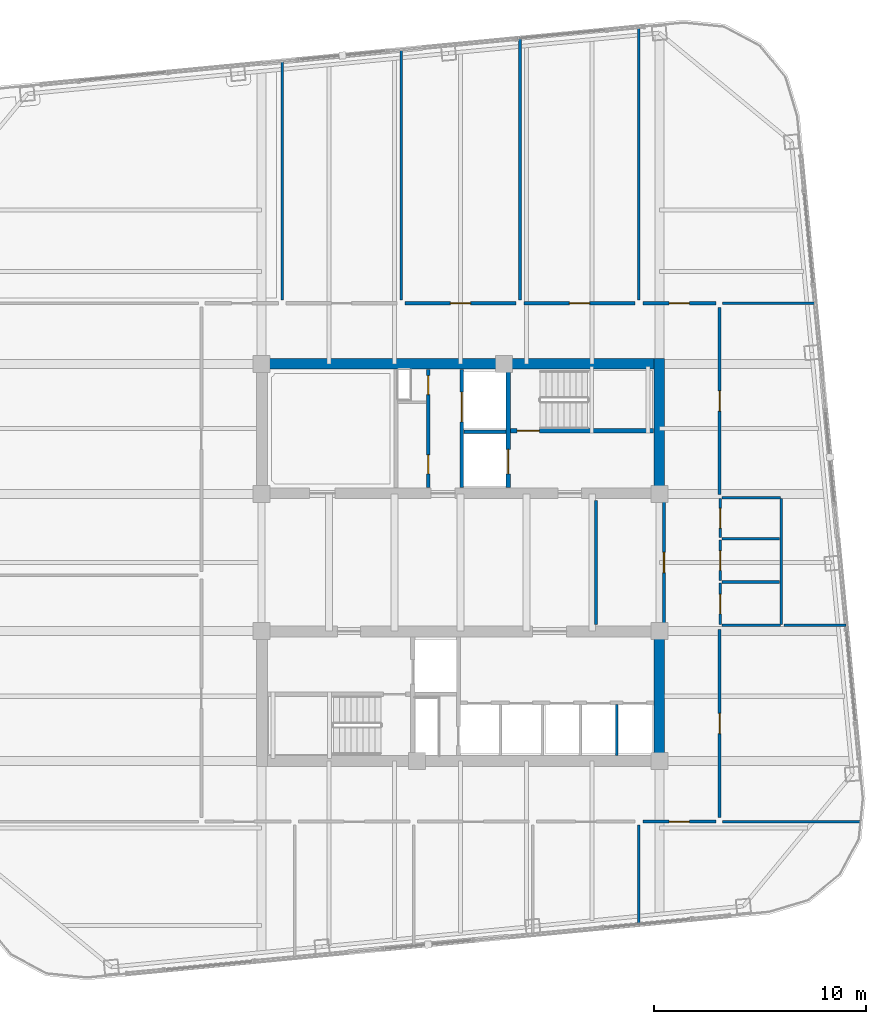
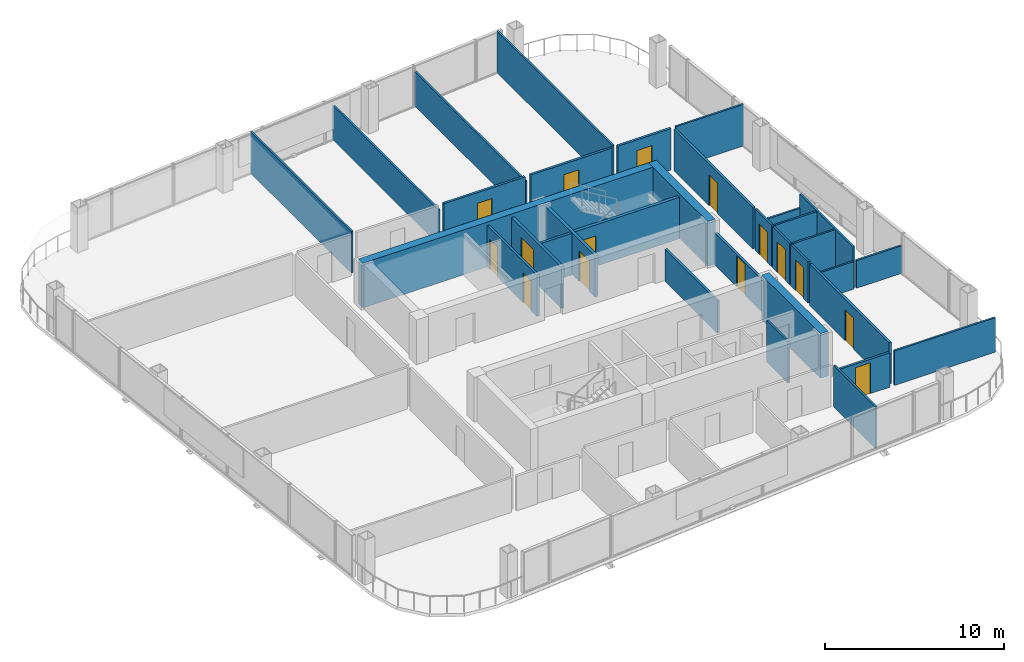
# One storey, part 18 of 22: 33 walls, 15 doors, 15 openings.
"""IFC4 building model written with IfcOpenShell, lengths in metres."""

import ifcopenshell
import ifcopenshell.guid

model = None  # the IFC model being written
_history = None  # IfcOwnerHistory: only IFC2X3 demands one
_inside = {}  # id of a spatial element -> (the spatial element, [elements in it])
_under = {}  # id of a project, library or spatial element -> (it, [spatial elements below it])
_declared = {}  # id of a project -> (the project, [libraries it declares])
_typed = {}  # id of a type object -> (the type object, [elements of that type])
_made_of = {}  # id of a material, layer set ... -> (it, [elements and type objects made of it])


def new_model(schema):
    """Start an empty IFC model of exactly this schema.

    Asked for "IFC4X3", IfcOpenShell would pick the latest addendum, in which some entities
    have other attributes; the version numbers below select the first issue.
    IFC2X3 requires an IfcOwnerHistory on every rooted entity: one is made here for all.
    """
    global model, _history
    if schema == "IFC4X3":
        model = ifcopenshell.file(schema_version=(4, 3, 0, 0))
    else:
        model = ifcopenshell.file(schema=schema)
    _inside.clear()
    _under.clear()
    _declared.clear()
    _typed.clear()
    _made_of.clear()
    _history = None
    if model.schema == "IFC2X3":
        org = make("IfcOrganization", Name="unknown")
        user = make(
            "IfcPersonAndOrganization",
            ThePerson=make("IfcPerson", FamilyName="unknown"),
            TheOrganization=org,
        )
        app = make(
            "IfcApplication",
            ApplicationDeveloper=org,
            Version="unknown",
            ApplicationFullName="unknown",
            ApplicationIdentifier="unknown",
        )
        _history = make(
            "IfcOwnerHistory",
            OwningUser=user,
            OwningApplication=app,
            ChangeAction="ADDED",
            CreationDate=0,
        )
    return model


def make(cls, **values):
    """One entity of the class cls with the attributes given. An attribute that is None is left unset."""
    return model.create_entity(
        cls, **{name: value for name, value in values.items() if value is not None}
    )


def rooted(cls, **values):
    """An entity with a GlobalId (a new one), such as an element, a storey or a relation."""
    return make(cls, GlobalId=ifcopenshell.guid.new(), OwnerHistory=_history, **values)


def si_unit(unit_type, name, prefix=None):
    """IfcSIUnit, for example si_unit("LENGTHUNIT", "METRE", prefix="MILLI")."""
    return make("IfcSIUnit", UnitType=unit_type, Prefix=prefix, Name=name)


def assignment(units):
    """IfcUnitAssignment: the units of a project."""
    return None if units is None else make("IfcUnitAssignment", Units=units)


def point(xyz):
    """IfcCartesianPoint."""
    return None if xyz is None else make("IfcCartesianPoint", Coordinates=xyz)


def direction(xyz):
    """IfcDirection."""
    return None if xyz is None else make("IfcDirection", DirectionRatios=xyz)


def frame(location, z_axis=None, x_axis=None):
    """IfcAxis2Placement3D, a coordinate frame: its origin and axes. An axis left out is left unset."""
    return make(
        "IfcAxis2Placement3D",
        Location=point(location),
        Axis=direction(z_axis),
        RefDirection=direction(x_axis),
    )


def frame_2d(location, x_axis=None):
    """IfcAxis2Placement2D, a coordinate frame in the plane: its origin and x axis."""
    return make(
        "IfcAxis2Placement2D", Location=point(location), RefDirection=direction(x_axis)
    )


def origin():
    """The frame at (0, 0, 0) with its axes left unset."""
    return frame((0.0, 0.0, 0.0))


def place(relative_to, where):
    """IfcLocalPlacement: puts the frame where relative to a parent placement (None: the world)."""
    return make(
        "IfcLocalPlacement", PlacementRelTo=relative_to, RelativePlacement=where
    )


def context(
    kind, dimensions, precision=None, world=None, true_north=None, identifier=None
):
    """IfcGeometricRepresentationContext, for example the 3D "Model" context."""
    return make(
        "IfcGeometricRepresentationContext",
        ContextIdentifier=identifier,
        ContextType=kind,
        CoordinateSpaceDimension=dimensions,
        Precision=precision,
        WorldCoordinateSystem=world,
        TrueNorth=true_north,
    )


def subcontext(parent, identifier, kind, view, scale=None):
    """IfcGeometricRepresentationSubContext, for example "Body" below "Model"."""
    return make(
        "IfcGeometricRepresentationSubContext",
        ContextIdentifier=identifier,
        ContextType=kind,
        ParentContext=parent,
        TargetScale=scale,
        TargetView=view,
    )


def project(units=None, contexts=None):
    """IfcProject with its units and contexts."""
    return rooted(
        "IfcProject",
        Name="project",
        RepresentationContexts=contexts,
        UnitsInContext=assignment(units),
    )


def spatial(cls, under=None, at=None, **own):
    """A site, building, storey or space (cls), placed at a placement, below another one or the project."""
    s = rooted(cls, ObjectPlacement=at, **own)
    if under is not None:
        _under.setdefault(under.id(), (under, []))[1].append(s)
    return s


def profile(cls, at=None, kind="AREA", **sizes):
    """A parametric profile (cls). Its sizes go by their IFC names, for example OverallWidth=200.0."""
    return make(cls, ProfileType=kind, Position=at, **sizes)


def rectangle(**sizes):
    """IfcRectangleProfileDef."""
    return profile("IfcRectangleProfileDef", **sizes)


def extrude(swept, where, along, depth):
    """IfcExtrudedAreaSolid: the profile swept, set in the frame where, extruded along a direction by depth."""
    return make(
        "IfcExtrudedAreaSolid",
        SweptArea=swept,
        Position=where,
        ExtrudedDirection=direction(along),
        Depth=depth,
    )


def shape(context_of_items, identifier, shape_type, items):
    """IfcShapeRepresentation: the items that make up one representation, for example the "Body"."""
    return make(
        "IfcShapeRepresentation",
        ContextOfItems=context_of_items,
        RepresentationIdentifier=identifier,
        RepresentationType=shape_type,
        Items=items,
    )


def material(Name=None, Category=None):
    """IfcMaterial."""
    return make("IfcMaterial", Name=Name, Category=Category)


def layer(
    of_material, thickness, ventilated=None, Name=None, Category=None, Priority=None
):
    """IfcMaterialLayer: one layer of a wall or slab, of a material (None: an air gap)."""
    return make(
        "IfcMaterialLayer",
        Material=of_material,
        LayerThickness=thickness,
        IsVentilated=ventilated,
        Name=Name,
        Category=Category,
        Priority=Priority,
    )


def layer_set(layers, Name=None):
    """IfcMaterialLayerSet."""
    return make("IfcMaterialLayerSet", MaterialLayers=layers, LayerSetName=Name)


def made_of(thing, what):
    """Note that an element or type object is made of a material, layer set ...; save() writes the relation."""
    if what is not None:
        _made_of.setdefault(what.id(), (what, []))[1].append(thing)
    return thing


def type_object(cls, material=None, **own):
    """A type object (cls), such as IfcWallType, which elements share."""
    return made_of(rooted(cls, **own), material)


def element(
    cls,
    number,
    at=None,
    inside=None,
    cuts=None,
    type_object=None,
    material=None,
    context=None,
    identifier="Body",
    shape_type=None,
    held_by="IfcProductDefinitionShape",
    body=None,
    shapes=None,
    **own,
):
    """One element of the class cls, such as IfcWall. Its Tag is "e" and its number.

    at: its placement. inside: the storey or other place that contains it. cuts: it is an
    opening in that element (IfcRelVoidsElement). A single representation is given by context,
    identifier, shape_type and body (its items); several are given by shapes. held_by: the class
    of the entity that holds the representations. save() writes the other relations.
    """
    e = rooted(cls, Tag="e%d" % number, ObjectPlacement=at, **own)
    if body is not None:
        shapes = [shape(context, identifier, shape_type, body)]
    if shapes is not None:
        e.Representation = make(held_by, Representations=shapes)
    if inside is not None:
        _inside.setdefault(inside.id(), (inside, []))[1].append(e)
    if cuts is not None:
        rooted(
            "IfcRelVoidsElement", RelatingBuildingElement=cuts, RelatedOpeningElement=e
        )
    if type_object is not None:
        _typed.setdefault(type_object.id(), (type_object, []))[1].append(e)
    return made_of(e, material)


def fill(opening, filler):
    """IfcRelFillsElement: the door or window that sits in an opening."""
    return rooted(
        "IfcRelFillsElement",
        RelatingOpeningElement=opening,
        RelatedBuildingElement=filler,
    )


def aggregate(whole, parts):
    """IfcRelAggregates: a whole, such as a stair, and the parts it consists of."""
    return rooted("IfcRelAggregates", RelatingObject=whole, RelatedObjects=parts)


def save(model, path):
    """Write the relations noted so far, then the file.

    IfcRelAggregates (storeys below a building ...), IfcRelContainedInSpatialStructure (elements
    in a storey), IfcRelDefinesByType, IfcRelAssociatesMaterial and IfcRelDeclares: one each for
    every whole, place, type object, material and project.
    """
    for whole, parts in _under.values():
        aggregate(whole, parts)
    for where, things in _inside.values():
        rooted(
            "IfcRelContainedInSpatialStructure",
            RelatedElements=things,
            RelatingStructure=where,
        )
    for kind, things in _typed.values():
        rooted("IfcRelDefinesByType", RelatedObjects=things, RelatingType=kind)
    for what, things in _made_of.values():
        rooted("IfcRelAssociatesMaterial", RelatedObjects=things, RelatingMaterial=what)
    for by, libraries in _declared.values():
        rooted("IfcRelDeclares", RelatingContext=by, RelatedDefinitions=libraries)
    model.write(path)


model = new_model("IFC4")

# Units and contexts
model_context = context("Model", 3, precision=1e-05, world=origin(), true_north=direction((0.0, 1.0)))
body_context = subcontext(model_context, "Body", "Model", "MODEL_VIEW")
ifc_project = project(units=[si_unit("LENGTHUNIT", "METRE"), si_unit("AREAUNIT", "SQUARE_METRE"), si_unit("VOLUMEUNIT", "CUBIC_METRE"), si_unit("PLANEANGLEUNIT", "RADIAN"), si_unit("MASSUNIT", "GRAM", prefix="KILO")], contexts=[model_context])

# Site, building, storey
site_placement = place(None, origin())
site = spatial("IfcSite", under=ifc_project, at=site_placement, CompositionType="ELEMENT")
building_placement = place(site_placement, origin())
building = spatial("IfcBuilding", under=site, at=building_placement, Name="Qhalaya Broadcast Tower", CompositionType="ELEMENT")
storey_placement = place(building_placement, frame((0.0, 0.0, 171.39990234375)))
storey = spatial("IfcBuildingStorey", under=building, at=storey_placement, Name="L50", CompositionType="ELEMENT", Elevation=171.39990234375)

# Wall, openings, doors
ifc_material_1 = material(Name="Gypsum Acoustic Partition")
ifc_layer_1 = layer(ifc_material_1, 0.14990234375, Name="Gypsum Acoustic Partition")
ifc_layer_set_1 = layer_set([ifc_layer_1], Name="Gypsum Acoustic Partition")
wall_type_1 = type_object("IfcWallType", Name="Corridor & Tenancy Acoustic Partition 150", PredefinedType="PARTITIONING", material=ifc_layer_set_1)
wall_1_placement = place(storey_placement, frame((-1.52001953125, 4.1201171875, 0.0), z_axis=(0.0, 0.0, 1.0), x_axis=(0.0, 1.0, 0.0)))
wall_1 = element("IfcWall", 1, at=wall_1_placement, inside=storey, type_object=wall_type_1, Name="L50 Partition Wall NCW-SVL", PredefinedType="PARTITIONING", context=body_context, shape_type="SweptSolid", body=[
    extrude(rectangle(XDim=5.559814453125, YDim=0.14990234375, at=frame_2d((2.77978515625, 0.0))), origin(), (0.0, 0.0, 1.0), 2.830078125),
])
opening_1_placement = place(wall_1_placement, frame((4.3798828125, 0.0, 0.0)))
opening_1 = element("IfcOpeningElement", 2, at=opening_1_placement, cuts=wall_1, Name="Opening D06", PredefinedType="OPENING", context=body_context, shape_type="SweptSolid", body=[
    extrude(rectangle(XDim=0.89990234375, YDim=2.050048828125, at=frame_2d((0.449951171875, 1.02490234375))), frame((0.0, 0.0869140625, 0.0), z_axis=(0.0, -1.0, 0.0), x_axis=(1.0, 0.0, 0.0)), (0.0, 0.0, 1.0), 0.173828125),
])
opening_2_placement = place(wall_1_placement, frame((0.64990234375, 0.0, 0.0)))
opening_2 = element("IfcOpeningElement", 3, at=opening_2_placement, cuts=wall_1, Name="Opening D06", PredefinedType="OPENING", context=body_context, shape_type="SweptSolid", body=[
    extrude(rectangle(XDim=0.89990234375, YDim=2.050048828125, at=frame_2d((0.449951171875, 1.02490234375))), frame((0.0, 0.0869140625, 0.0), z_axis=(0.0, -1.0, 0.0), x_axis=(1.0, 0.0, 0.0)), (0.0, 0.0, 1.0), 0.173828125),
])
ifc_material_2 = material(Name="Fire-Rated Steel Door", Category="steel")
door_type_1 = type_object("IfcDoorType", Name="Riser & Electrical Shaft Access Door D06", OperationType="NOTDEFINED", PredefinedType="DOOR", material=ifc_material_2)
door_1_placement = place(opening_1_placement, origin())
door_1 = element("IfcDoor", 4, at=door_1_placement, inside=storey, type_object=door_type_1, Name="L50 Riser Shaft Access Door D-NRSR", OperationType="SINGLE_SWING_RIGHT", OverallHeight=2.050048828125, OverallWidth=0.89990234375, PredefinedType="DOOR", context=body_context, shape_type="SweptSolid", body=[
    extrude(rectangle(XDim=0.89990234375, YDim=2.050048828125, at=frame_2d((0.449951171875, 1.02490234375))), frame((0.0, 0.02490234375, 0.0), z_axis=(0.0, -1.0, 0.0), x_axis=(1.0, 0.0, 0.0)), (0.0, 0.0, 1.0), 0.050048828125),
])
fill(opening_1, door_1)
door_2_placement = place(opening_2_placement, origin())
door_2 = element("IfcDoor", 5, at=door_2_placement, inside=storey, type_object=door_type_1, Name="L50 Door D-NCST", OperationType="SINGLE_SWING_LEFT", OverallHeight=2.050048828125, OverallWidth=0.89990234375, PredefinedType="DOOR", context=body_context, shape_type="SweptSolid", body=[
    extrude(rectangle(XDim=0.89990234375, YDim=2.050048828125, at=frame_2d((0.449951171875, 1.02490234375))), frame((0.0, 0.02490234375, 0.0), z_axis=(0.0, -1.0, 0.0), x_axis=(1.0, 0.0, 0.0)), (0.0, 0.0, 1.0), 0.050048828125),
])
fill(opening_2, door_2)

# Wall
wall_2_placement = place(storey_placement, frame((6.3798828125, -2.320068359375, 0.0), z_axis=(0.0, 0.0, 1.0), x_axis=(0.0, 1.0, 0.0)))
element("IfcWall", 6, at=wall_2_placement, inside=storey, type_object=wall_type_1, Name="L50 Partition Wall W-ICHW", PredefinedType="PARTITIONING", context=body_context, shape_type="SweptSolid", body=[
    extrude(rectangle(XDim=5.840087890625, YDim=0.14990234375, at=frame_2d((2.919921875, 0.0))), origin(), (0.0, 0.0, 1.0), 2.197998046875),
])

# Wall, opening, door
wall_3_placement = place(storey_placement, frame((9.580078125, -2.320068359375, 0.0), z_axis=(0.0, 0.0, 1.0), x_axis=(0.0, 1.0, 0.0)))
wall_3 = element("IfcWall", 7, at=wall_3_placement, inside=storey, type_object=wall_type_1, Name="L50 Partition Wall W-ICHE", PredefinedType="PARTITIONING", context=body_context, shape_type="SweptSolid", body=[
    extrude(rectangle(XDim=5.840087890625, YDim=0.14990234375, at=frame_2d((2.919921875, 0.0))), origin(), (0.0, 0.0, 1.0), 2.197998046875),
])
opening_3_placement = place(wall_3_placement, frame((2.445068359375, 0.0, 0.0)))
opening_3 = element("IfcOpeningElement", 8, at=opening_3_placement, cuts=wall_3, Name="Opening D10", PredefinedType="OPENING", context=body_context, shape_type="SweptSolid", body=[
    extrude(rectangle(XDim=0.949951171875, YDim=2.10009765625, at=frame_2d((0.47509765625, 1.050048828125))), frame((0.0, 0.0869140625, 0.0), z_axis=(0.0, -1.0, 0.0), x_axis=(1.0, 0.0, 0.0)), (0.0, 0.0, 1.0), 0.173828125),
])
ifc_material_3 = material(Name="Timber Veneer Acoustic Door", Category="wood")
door_type_2 = type_object("IfcDoorType", Name="Cellular Office & Edit Booth Door D10", OperationType="NOTDEFINED", PredefinedType="DOOR", material=ifc_material_3)
door_3_placement = place(opening_3_placement, origin())
door_3 = element("IfcDoor", 9, at=door_3_placement, inside=storey, type_object=door_type_2, Name="L50 Door D-ICHE", OperationType="SINGLE_SWING_RIGHT", OverallHeight=2.10009765625, OverallWidth=0.949951171875, PredefinedType="DOOR", context=body_context, shape_type="SweptSolid", body=[
    extrude(rectangle(XDim=0.949951171875, YDim=2.10009765625, at=frame_2d((0.47509765625, 1.050048828125))), frame((0.0, 0.02490234375, 0.0), z_axis=(0.0, -1.0, 0.0), x_axis=(1.0, 0.0, 0.0)), (0.0, 0.0, 1.0), 0.050048828125),
])
fill(opening_3, door_3)

wall_4_placement = place(storey_placement, frame((-2.6201171875, 12.800048828125, 0.0), z_axis=(0.0, 0.0, 1.0), x_axis=(1.0, 0.0, 0.0)))
wall_4 = element("IfcWall", 10, at=wall_4_placement, inside=storey, type_object=wall_type_1, Name="L50 Partition Wall W-COR-03", PredefinedType="PARTITIONING", context=body_context, shape_type="SweptSolid", body=[
    extrude(rectangle(XDim=5.240234375, YDim=0.14990234375, at=frame_2d((2.6201171875, 0.0))), origin(), (0.0, 0.0, 1.0), 2.830078125),
])
opening_4_placement = place(wall_4_placement, frame((2.14501953125, 0.0, 0.0)))
opening_4 = element("IfcOpeningElement", 11, at=opening_4_placement, cuts=wall_4, Name="Opening D10", PredefinedType="OPENING", context=body_context, shape_type="SweptSolid", body=[
    extrude(rectangle(XDim=0.949951171875, YDim=2.10009765625, at=frame_2d((0.47509765625, 1.050048828125))), frame((0.0, 0.0869140625, 0.0), z_axis=(0.0, -1.0, 0.0), x_axis=(1.0, 0.0, 0.0)), (0.0, 0.0, 1.0), 0.173828125),
])
door_4_placement = place(opening_4_placement, origin())
door_4 = element("IfcDoor", 12, at=door_4_placement, inside=storey, type_object=door_type_2, Name="L50 Door D-RM03", OperationType="SINGLE_SWING_RIGHT", OverallHeight=2.10009765625, OverallWidth=0.949951171875, PredefinedType="DOOR", context=body_context, shape_type="SweptSolid", body=[
    extrude(rectangle(XDim=0.949951171875, YDim=2.10009765625, at=frame_2d((0.47509765625, 1.050048828125))), frame((0.0, 0.02490234375, 0.0), z_axis=(0.0, -1.0, 0.0), x_axis=(1.0, 0.0, 0.0)), (0.0, 0.0, 1.0), 0.050048828125),
])
fill(opening_4, door_4)

wall_5_placement = place(storey_placement, frame((2.97998046875, 12.800048828125, 0.0), z_axis=(0.0, 0.0, 1.0), x_axis=(1.0, 0.0, 0.0)))
wall_5 = element("IfcWall", 13, at=wall_5_placement, inside=storey, type_object=wall_type_1, Name="L50 Partition Wall W-COR-04", PredefinedType="PARTITIONING", context=body_context, shape_type="SweptSolid", body=[
    extrude(rectangle(XDim=5.239990234375, YDim=0.14990234375, at=frame_2d((2.6201171875, 0.0))), origin(), (0.0, 0.0, 1.0), 2.830078125),
])
opening_5_placement = place(wall_5_placement, frame((2.14501953125, 0.0, 0.0)))
opening_5 = element("IfcOpeningElement", 14, at=opening_5_placement, cuts=wall_5, Name="Opening D10", PredefinedType="OPENING", context=body_context, shape_type="SweptSolid", body=[
    extrude(rectangle(XDim=0.949951171875, YDim=2.10009765625, at=frame_2d((0.47509765625, 1.050048828125))), frame((0.0, 0.0869140625, 0.0), z_axis=(0.0, -1.0, 0.0), x_axis=(1.0, 0.0, 0.0)), (0.0, 0.0, 1.0), 0.173828125),
])
door_5_placement = place(opening_5_placement, origin())
door_5 = element("IfcDoor", 15, at=door_5_placement, inside=storey, type_object=door_type_2, Name="L50 Door D-RM04", OperationType="SINGLE_SWING_LEFT", OverallHeight=2.10009765625, OverallWidth=0.949951171875, PredefinedType="DOOR", context=body_context, shape_type="SweptSolid", body=[
    extrude(rectangle(XDim=0.949951171875, YDim=2.10009765625, at=frame_2d((0.47509765625, 1.050048828125))), frame((0.0, 0.02490234375, 0.0), z_axis=(0.0, -1.0, 0.0), x_axis=(1.0, 0.0, 0.0)), (0.0, 0.0, 1.0), 0.050048828125),
])
fill(opening_5, door_5)

wall_6_placement = place(storey_placement, frame((8.580078125, 12.800048828125, 0.0), z_axis=(0.0, 0.0, 1.0), x_axis=(1.0, 0.0, 0.0)))
wall_6 = element("IfcWall", 16, at=wall_6_placement, inside=storey, type_object=wall_type_1, Name="L50 Partition Wall W-COR-05", PredefinedType="PARTITIONING", context=body_context, shape_type="SweptSolid", body=[
    extrude(rectangle(XDim=3.43994140625, YDim=0.14990234375, at=frame_2d((1.719970703125, 0.0))), origin(), (0.0, 0.0, 1.0), 2.830078125),
])
opening_6_placement = place(wall_6_placement, frame((1.2451171875, 0.0, 0.0)))
opening_6 = element("IfcOpeningElement", 17, at=opening_6_placement, cuts=wall_6, Name="Opening D10", PredefinedType="OPENING", context=body_context, shape_type="SweptSolid", body=[
    extrude(rectangle(XDim=0.949951171875, YDim=2.10009765625, at=frame_2d((0.47509765625, 1.050048828125))), frame((0.0, 0.0869140625, 0.0), z_axis=(0.0, -1.0, 0.0), x_axis=(1.0, 0.0, 0.0)), (0.0, 0.0, 1.0), 0.173828125),
])
door_6_placement = place(opening_6_placement, origin())
door_6 = element("IfcDoor", 18, at=door_6_placement, inside=storey, type_object=door_type_2, Name="L50 Door D-RM05", OperationType="SINGLE_SWING_RIGHT", OverallHeight=2.10009765625, OverallWidth=0.949951171875, PredefinedType="DOOR", context=body_context, shape_type="SweptSolid", body=[
    extrude(rectangle(XDim=0.949951171875, YDim=2.10009765625, at=frame_2d((0.47509765625, 1.050048828125))), frame((0.0, 0.02490234375, 0.0), z_axis=(0.0, -1.0, 0.0), x_axis=(1.0, 0.0, 0.0)), (0.0, 0.0, 1.0), 0.050048828125),
])
fill(opening_6, door_6)

wall_7_placement = place(storey_placement, frame((8.580078125, -11.60009765625, 0.0), z_axis=(0.0, 0.0, 1.0), x_axis=(1.0, 0.0, 0.0)))
wall_7 = element("IfcWall", 19, at=wall_7_placement, inside=storey, type_object=wall_type_1, Name="L50 Partition Wall W-COR-10", PredefinedType="PARTITIONING", context=body_context, shape_type="SweptSolid", body=[
    extrude(rectangle(XDim=3.43994140625, YDim=0.14990234375, at=frame_2d((1.719970703125, 0.0))), origin(), (0.0, 0.0, 1.0), 2.34716796875),
])
opening_7_placement = place(wall_7_placement, frame((1.2451171875, 0.0, 0.0)))
opening_7 = element("IfcOpeningElement", 20, at=opening_7_placement, cuts=wall_7, Name="Opening D10", PredefinedType="OPENING", context=body_context, shape_type="SweptSolid", body=[
    extrude(rectangle(XDim=0.949951171875, YDim=2.10009765625, at=frame_2d((0.47509765625, 1.050048828125))), frame((0.0, 0.0869140625, 0.0), z_axis=(0.0, -1.0, 0.0), x_axis=(1.0, 0.0, 0.0)), (0.0, 0.0, 1.0), 0.173828125),
])
door_7_placement = place(opening_7_placement, origin())
door_7 = element("IfcDoor", 21, at=door_7_placement, inside=storey, type_object=door_type_2, Name="L50 Door D-RM10", OperationType="SINGLE_SWING_LEFT", OverallHeight=2.10009765625, OverallWidth=0.949951171875, PredefinedType="DOOR", context=body_context, shape_type="SweptSolid", body=[
    extrude(rectangle(XDim=0.949951171875, YDim=2.10009765625, at=frame_2d((0.47509765625, 1.050048828125))), frame((0.0, 0.02490234375, 0.0), z_axis=(0.0, -1.0, 0.0), x_axis=(1.0, 0.0, 0.0)), (0.0, 0.0, 1.0), 0.050048828125),
])
fill(opening_7, door_7)

wall_8_placement = place(storey_placement, frame((12.199951171875, -11.39990234375, 0.0), z_axis=(0.0, 0.0, 1.0), x_axis=(0.0, 1.0, 0.0)))
wall_8 = element("IfcWall", 22, at=wall_8_placement, inside=storey, type_object=wall_type_1, Name="L50 Partition Wall W-COR-13", PredefinedType="PARTITIONING", context=body_context, shape_type="SweptSolid", body=[
    extrude(rectangle(XDim=8.83984375, YDim=0.14990234375, at=frame_2d((4.419921875, 0.0))), origin(), (0.0, 0.0, 1.0), 2.830078125),
])
opening_8_placement = place(wall_8_placement, frame((3.945068359375, 0.0, 0.0)))
opening_8 = element("IfcOpeningElement", 23, at=opening_8_placement, cuts=wall_8, Name="Opening D10", PredefinedType="OPENING", context=body_context, shape_type="SweptSolid", body=[
    extrude(rectangle(XDim=0.949951171875, YDim=2.10009765625, at=frame_2d((0.47509765625, 1.050048828125))), frame((0.0, 0.0869140625, 0.0), z_axis=(0.0, -1.0, 0.0), x_axis=(1.0, 0.0, 0.0)), (0.0, 0.0, 1.0), 0.173828125),
])
door_8_placement = place(opening_8_placement, origin())
door_8 = element("IfcDoor", 24, at=door_8_placement, inside=storey, type_object=door_type_2, Name="L50 Door D-RM13", OperationType="SINGLE_SWING_RIGHT", OverallHeight=2.10009765625, OverallWidth=0.949951171875, PredefinedType="DOOR", context=body_context, shape_type="SweptSolid", body=[
    extrude(rectangle(XDim=0.949951171875, YDim=2.10009765625, at=frame_2d((0.47509765625, 1.050048828125))), frame((0.0, 0.02490234375, 0.0), z_axis=(0.0, -1.0, 0.0), x_axis=(1.0, 0.0, 0.0)), (0.0, 0.0, 1.0), 0.050048828125),
])
fill(opening_8, door_8)

wall_9_placement = place(storey_placement, frame((12.199951171875, 3.800048828125, 0.0), z_axis=(0.0, 0.0, 1.0), x_axis=(0.0, 1.0, 0.0)))
wall_9 = element("IfcWall", 25, at=wall_9_placement, inside=storey, type_object=wall_type_1, Name="L50 Partition Wall W-COR-14", PredefinedType="PARTITIONING", context=body_context, shape_type="SweptSolid", body=[
    extrude(rectangle(XDim=8.800048828125, YDim=0.14990234375, at=frame_2d((4.39990234375, 0.0))), origin(), (0.0, 0.0, 1.0), 2.830078125),
])
opening_9_placement = place(wall_9_placement, frame((3.925048828125, 0.0, 0.0)))
opening_9 = element("IfcOpeningElement", 26, at=opening_9_placement, cuts=wall_9, Name="Opening D10", PredefinedType="OPENING", context=body_context, shape_type="SweptSolid", body=[
    extrude(rectangle(XDim=0.949951171875, YDim=2.10009765625, at=frame_2d((0.47509765625, 1.050048828125))), frame((0.0, 0.0869140625, 0.0), z_axis=(0.0, -1.0, 0.0), x_axis=(1.0, 0.0, 0.0)), (0.0, 0.0, 1.0), 0.173828125),
])
door_9_placement = place(opening_9_placement, origin())
door_9 = element("IfcDoor", 27, at=door_9_placement, inside=storey, type_object=door_type_2, Name="L50 Door D-RM14", OperationType="SINGLE_SWING_LEFT", OverallHeight=2.10009765625, OverallWidth=0.949951171875, PredefinedType="DOOR", context=body_context, shape_type="SweptSolid", body=[
    extrude(rectangle(XDim=0.949951171875, YDim=2.10009765625, at=frame_2d((0.47509765625, 1.050048828125))), frame((0.0, 0.02490234375, 0.0), z_axis=(0.0, -1.0, 0.0), x_axis=(1.0, 0.0, 0.0)), (0.0, 0.0, 1.0), 0.050048828125),
])
fill(opening_9, door_9)

ifc_material_4 = material(Name="Concrete C50/60", Category="concrete")
ifc_layer_2 = layer(ifc_material_4, 0.199951171875, Name="Concrete C50/60")
ifc_layer_set_2 = layer_set([ifc_layer_2], Name="Concrete C50/60")
wall_type_2 = type_object("IfcWallType", Name="Load-Bearing Stair Shaft Wall 200", PredefinedType="SHEAR", material=ifc_layer_set_2)
wall_10_placement = place(storey_placement, frame((2.360107421875, 6.804931640625, 0.0), z_axis=(0.0, 0.0, 1.0), x_axis=(1.0, 0.0, 0.0)))
wall_10 = element("IfcWall", 28, at=wall_10_placement, inside=storey, type_object=wall_type_2, Name="L50 Stair Core Shear Wall NCW-ST1", PredefinedType="SHEAR", context=body_context, shape_type="SweptSolid", body=[
    extrude(rectangle(XDim=6.719970703125, YDim=0.199951171875, at=frame_2d((3.35986328125, 0.0))), origin(), (0.0, 0.0, 1.0), 2.830078125),
])
opening_10_placement = place(wall_10_placement, frame((0.300048828125, 0.0, 0.0)))
opening_10 = element("IfcOpeningElement", 29, at=opening_10_placement, cuts=wall_10, Name="Opening D03", PredefinedType="OPENING", context=body_context, shape_type="SweptSolid", body=[
    extrude(rectangle(XDim=1.050048828125, YDim=2.080078125, at=frame_2d((0.52490234375, 1.0400390625))), frame((0.0, 0.112060546875, 0.0), z_axis=(0.0, -1.0, 0.0), x_axis=(1.0, 0.0, 0.0)), (0.0, 0.0, 1.0), 0.223876953125),
])
door_type_3 = type_object("IfcDoorType", Name="Core Stair Protected Fire Door D03", OperationType="NOTDEFINED", PredefinedType="DOOR", material=ifc_material_2)
door_10_placement = place(opening_10_placement, origin())
door_10 = element("IfcDoor", 30, at=door_10_placement, inside=storey, type_object=door_type_3, Name="L50 Door D-NST1", OperationType="SINGLE_SWING_LEFT", OverallHeight=2.080078125, OverallWidth=1.050048828125, PredefinedType="DOOR", context=body_context, shape_type="SweptSolid", body=[
    extrude(rectangle(XDim=1.050048828125, YDim=2.080078125, at=frame_2d((0.52490234375, 1.0400390625))), frame((0.0, 0.02490234375, 0.0), z_axis=(0.0, -1.0, 0.0), x_axis=(1.0, 0.0, 0.0)), (0.0, 0.0, 1.0), 0.050048828125),
])
fill(opening_10, door_10)

wall_11_placement = place(storey_placement, frame((2.25, 4.1201171875, 0.0), z_axis=(0.0, 0.0, 1.0), x_axis=(0.0, 1.0, 0.0)))
wall_11 = element("IfcWall", 31, at=wall_11_placement, inside=storey, type_object=wall_type_2, Name="L50 Stair Core Shear Wall NCW-FF", PredefinedType="SHEAR", context=body_context, shape_type="SweptSolid", body=[
    extrude(rectangle(XDim=5.559814453125, YDim=0.199951171875, at=frame_2d((2.77978515625, 0.0))), origin(), (0.0, 0.0, 1.0), 2.830078125),
])
opening_11_placement = place(wall_11_placement, frame((0.64990234375, 0.0, 0.0)))
opening_11 = element("IfcOpeningElement", 32, at=opening_11_placement, cuts=wall_11, Name="Opening LD2", PredefinedType="OPENING", context=body_context, shape_type="SweptSolid", body=[
    extrude(rectangle(XDim=1.14990234375, YDim=2.080078125, at=frame_2d((0.574951171875, 1.0400390625))), frame((0.0, 0.112060546875, 0.0), z_axis=(0.0, -1.0, 0.0), x_axis=(1.0, 0.0, 0.0)), (0.0, 0.0, 1.0), 0.223876953125),
])
ifc_material_5 = material(Name="Brushed Stainless Steel Lift Door", Category="steel")
door_type_4 = type_object("IfcDoorType", Name="Firefighting Lift Sliding Landing Door LD2", OperationType="DOUBLE_DOOR_SLIDING", PredefinedType="DOOR", material=ifc_material_5)
door_11_placement = place(opening_11_placement, origin())
door_11 = element("IfcDoor", 33, at=door_11_placement, inside=storey, type_object=door_type_4, Name="L50 Door LD-FF1", OperationType="DOUBLE_DOOR_SLIDING", OverallHeight=2.080078125, OverallWidth=1.14990234375, PredefinedType="DOOR", context=body_context, shape_type="SweptSolid", body=[
    extrude(rectangle(XDim=1.14990234375, YDim=2.080078125, at=frame_2d((0.574951171875, 1.0400390625))), frame((0.0, 0.02490234375, 0.0), z_axis=(0.0, -1.0, 0.0), x_axis=(1.0, 0.0, 0.0)), (0.0, 0.0, 1.0), 0.050048828125),
])
fill(opening_11, door_11)

# Walls
ifc_layer_3 = layer(ifc_material_4, 0.5, Name="Concrete C50/60")
ifc_layer_set_3 = layer_set([ifc_layer_3], Name="Concrete C50/60")
wall_type_3 = type_object("IfcWallType", Name="Mid Split-Core Shear Wall 500", PredefinedType="SHEAR", material=ifc_layer_set_3)
wall_12_placement = place(storey_placement, frame((-9.60009765625, 9.949951171875, 0.0), z_axis=(0.0, 0.0, 1.0), x_axis=(1.0, 0.0, 0.0)))
element("IfcWall", 34, at=wall_12_placement, inside=storey, type_object=wall_type_3, Name="L50 Split-Core Shear Wall CW-NN", PredefinedType="SHEAR", context=body_context, shape_type="SweptSolid", body=[
    extrude(rectangle(XDim=19.2001953125, YDim=0.5, at=frame_2d((9.60009765625, 0.0))), origin(), (0.0, 0.0, 1.0), 3.050048828125),
])
wall_13_placement = place(storey_placement, frame((9.35009765625, 3.60009765625, 0.0), z_axis=(0.0, 0.0, 1.0), x_axis=(0.0, 1.0, 0.0)))
element("IfcWall", 35, at=wall_13_placement, inside=storey, type_object=wall_type_3, Name="L50 Split-Core Shear Wall CW-NE", PredefinedType="SHEAR", context=body_context, shape_type="SweptSolid", body=[
    extrude(rectangle(XDim=6.599853515625, YDim=0.5, at=frame_2d((3.2998046875, 0.0))), origin(), (0.0, 0.0, 1.0), 3.050048828125),
])
wall_14_placement = place(storey_placement, frame((9.35009765625, -9.0, 0.0), z_axis=(0.0, 0.0, 1.0), x_axis=(0.0, 1.0, 0.0)))
element("IfcWall", 36, at=wall_14_placement, inside=storey, type_object=wall_type_3, Name="L50 Split-Core Shear Wall CW-SE", PredefinedType="SHEAR", context=body_context, shape_type="SweptSolid", body=[
    extrude(rectangle(XDim=6.60009765625, YDim=0.5, at=frame_2d((3.300048828125, 0.0))), origin(), (0.0, 0.0, 1.0), 3.050048828125),
])
ifc_layer_4 = layer(ifc_material_1, 0.1201171875, Name="Gypsum Acoustic Partition")
ifc_layer_set_4 = layer_set([ifc_layer_4], Name="Gypsum Acoustic Partition")
wall_type_4 = type_object("IfcWallType", Name="Office, Booth & Sanitary Partition 120", PredefinedType="PARTITIONING", material=ifc_layer_set_4)
wall_15_placement = place(storey_placement, frame((7.360107421875, -8.47998046875, 0.0), z_axis=(0.0, 0.0, 1.0), x_axis=(0.0, 1.0, 0.0)))
element("IfcWall", 37, at=wall_15_placement, inside=storey, type_object=wall_type_4, Name="L50 Partition Wall SCW-HD7", PredefinedType="PARTITIONING", context=body_context, shape_type="SweptSolid", body=[
    extrude(rectangle(XDim=2.3798828125, YDim=0.1201171875, at=frame_2d((1.18994140625, 0.0))), origin(), (0.0, 0.0, 1.0), 2.830078125),
])

# Wall, opening, door
wall_16_placement = place(storey_placement, frame((12.219970703125, -2.320068359375, 0.0), z_axis=(0.0, 0.0, 1.0), x_axis=(0.0, 1.0, 0.0)))
wall_16 = element("IfcWall", 38, at=wall_16_placement, inside=storey, type_object=wall_type_4, Name="L50 Partition Wall W-WCWA", PredefinedType="PARTITIONING", context=body_context, shape_type="SweptSolid", body=[
    extrude(rectangle(XDim=1.940185546875, YDim=0.1201171875, at=frame_2d((0.97021484375, 0.0))), origin(), (0.0, 0.0, 1.0), 2.830078125),
])
opening_12_placement = place(wall_16_placement, frame((0.4951171875, 0.0, 0.0)))
opening_12 = element("IfcOpeningElement", 39, at=opening_12_placement, cuts=wall_16, Name="Opening D12", PredefinedType="OPENING", context=body_context, shape_type="SweptSolid", body=[
    extrude(rectangle(XDim=0.919921875, YDim=2.10009765625, at=frame_2d((0.4599609375, 1.050048828125))), frame((0.0, 0.072021484375, 0.0), z_axis=(0.0, -1.0, 0.0), x_axis=(1.0, 0.0, 0.0)), (0.0, 0.0, 1.0), 0.14404296875),
])
door_type_5 = type_object("IfcDoorType", Name="Accessible WC & Restroom Door D12", OperationType="NOTDEFINED", PredefinedType="DOOR", material=ifc_material_3)
door_12_placement = place(opening_12_placement, origin())
door_12 = element("IfcDoor", 40, at=door_12_placement, inside=storey, type_object=door_type_5, Name="L50 Door D-WCA", OperationType="SINGLE_SWING_LEFT", OverallHeight=2.10009765625, OverallWidth=0.919921875, PredefinedType="DOOR", context=body_context, shape_type="SweptSolid", body=[
    extrude(rectangle(XDim=0.919921875, YDim=2.10009765625, at=frame_2d((0.4599609375, 1.050048828125))), frame((0.0, 0.02490234375, 0.0), z_axis=(0.0, -1.0, 0.0), x_axis=(1.0, 0.0, 0.0)), (0.0, 0.0, 1.0), 0.050048828125),
])
fill(opening_12, door_12)

wall_17_placement = place(storey_placement, frame((12.219970703125, -0.25, 0.0), z_axis=(0.0, 0.0, 1.0), x_axis=(0.0, 1.0, 0.0)))
wall_17 = element("IfcWall", 41, at=wall_17_placement, inside=storey, type_object=wall_type_4, Name="L50 Partition Wall W-WCWM", PredefinedType="PARTITIONING", context=body_context, shape_type="SweptSolid", body=[
    extrude(rectangle(XDim=1.89990234375, YDim=0.1201171875, at=frame_2d((0.949951171875, 0.0))), origin(), (0.0, 0.0, 1.0), 2.830078125),
])
opening_13_placement = place(wall_17_placement, frame((0.47509765625, 0.0, 0.0)))
opening_13 = element("IfcOpeningElement", 42, at=opening_13_placement, cuts=wall_17, Name="Opening D12", PredefinedType="OPENING", context=body_context, shape_type="SweptSolid", body=[
    extrude(rectangle(XDim=0.919921875, YDim=2.10009765625, at=frame_2d((0.4599609375, 1.050048828125))), frame((0.0, 0.072021484375, 0.0), z_axis=(0.0, -1.0, 0.0), x_axis=(1.0, 0.0, 0.0)), (0.0, 0.0, 1.0), 0.14404296875),
])
door_13_placement = place(opening_13_placement, origin())
door_13 = element("IfcDoor", 43, at=door_13_placement, inside=storey, type_object=door_type_5, Name="L50 Door D-WCM", OperationType="SINGLE_SWING_RIGHT", OverallHeight=2.10009765625, OverallWidth=0.919921875, PredefinedType="DOOR", context=body_context, shape_type="SweptSolid", body=[
    extrude(rectangle(XDim=0.919921875, YDim=2.10009765625, at=frame_2d((0.4599609375, 1.050048828125))), frame((0.0, 0.02490234375, 0.0), z_axis=(0.0, -1.0, 0.0), x_axis=(1.0, 0.0, 0.0)), (0.0, 0.0, 1.0), 0.050048828125),
])
fill(opening_13, door_13)

wall_18_placement = place(storey_placement, frame((12.219970703125, 1.780029296875, 0.0), z_axis=(0.0, 0.0, 1.0), x_axis=(0.0, 1.0, 0.0)))
wall_18 = element("IfcWall", 44, at=wall_18_placement, inside=storey, type_object=wall_type_4, Name="L50 Partition Wall W-WCWF", PredefinedType="PARTITIONING", context=body_context, shape_type="SweptSolid", body=[
    extrude(rectangle(XDim=1.830078125, YDim=0.1201171875, at=frame_2d((0.9150390625, 0.0))), origin(), (0.0, 0.0, 1.0), 2.830078125),
])
opening_14_placement = place(wall_18_placement, frame((0.43994140625, 0.0, 0.0)))
opening_14 = element("IfcOpeningElement", 45, at=opening_14_placement, cuts=wall_18, Name="Opening D12", PredefinedType="OPENING", context=body_context, shape_type="SweptSolid", body=[
    extrude(rectangle(XDim=0.919921875, YDim=2.10009765625, at=frame_2d((0.4599609375, 1.050048828125))), frame((0.0, 0.072021484375, 0.0), z_axis=(0.0, -1.0, 0.0), x_axis=(1.0, 0.0, 0.0)), (0.0, 0.0, 1.0), 0.14404296875),
])
door_14_placement = place(opening_14_placement, origin())
door_14 = element("IfcDoor", 46, at=door_14_placement, inside=storey, type_object=door_type_5, Name="L50 Door D-WCF", OperationType="SINGLE_SWING_LEFT", OverallHeight=2.10009765625, OverallWidth=0.919921875, PredefinedType="DOOR", context=body_context, shape_type="SweptSolid", body=[
    extrude(rectangle(XDim=0.919921875, YDim=2.10009765625, at=frame_2d((0.4599609375, 1.050048828125))), frame((0.0, 0.02490234375, 0.0), z_axis=(0.0, -1.0, 0.0), x_axis=(1.0, 0.0, 0.0)), (0.0, 0.0, 1.0), 0.050048828125),
])
fill(opening_14, door_14)

# Walls
wall_19_placement = place(storey_placement, frame((15.10009765625, -2.320068359375, 0.0), z_axis=(0.0, 0.0, 1.0), x_axis=(0.0, 1.0, 0.0)))
element("IfcWall", 47, at=wall_19_placement, inside=storey, type_object=wall_type_4, Name="L50 Partition Wall W-WCE", PredefinedType="PARTITIONING", context=body_context, shape_type="SweptSolid", body=[
    extrude(rectangle(XDim=5.93017578125, YDim=0.1201171875, at=frame_2d((2.965087890625, 0.0))), origin(), (0.0, 0.0, 1.0), 2.830078125),
])
for number, where, z_axis, x_axis, name in (
    (48, (12.31005859375, -2.35009765625, 0.0), (0.0, 0.0, 1.0), (1.0, 0.0, 0.0), "L50 Partition Wall W-WCS"),
    (49, (12.31005859375, 3.639892578125, 0.0), (0.0, 0.0, 1.0), (1.0, 0.0, 0.0), "L50 Partition Wall W-WCN"),
):
    element("IfcWall", number, at=place(storey_placement, frame(where, z_axis=z_axis, x_axis=x_axis)), inside=storey, type_object=wall_type_4, Name=name, PredefinedType="PARTITIONING", context=body_context, shape_type="SweptSolid", body=[
        extrude(rectangle(XDim=2.760009765625, YDim=0.1201171875, at=frame_2d((1.3798828125, 0.0))), origin(), (0.0, 0.0, 1.0), 1.883056640625),
    ])
for number, where, z_axis, x_axis, name in (
    (50, (12.31005859375, -0.320068359375, 0.0), (0.0, 0.0, 1.0), (1.0, 0.0, 0.0), "L50 Partition Wall W-WCD1"),
    (51, (12.31005859375, 1.719970703125, 0.0), (0.0, 0.0, 1.0), (1.0, 0.0, 0.0), "L50 Partition Wall W-WCD2"),
):
    element("IfcWall", number, at=place(storey_placement, frame(where, z_axis=z_axis, x_axis=x_axis)), inside=storey, type_object=wall_type_4, Name=name, PredefinedType="PARTITIONING", context=body_context, shape_type="SweptSolid", body=[
        extrude(rectangle(XDim=2.719970703125, YDim=0.1201171875, at=frame_2d((1.35986328125, 0.0))), origin(), (0.0, 0.0, 1.0), 2.830078125),
    ])
wall_20_placement = place(storey_placement, frame((12.340087890625, 12.800048828125, 0.0), z_axis=(0.0, 0.0, 1.0), x_axis=(1.0, 0.0, 0.0)))
element("IfcWall", 52, at=wall_20_placement, inside=storey, type_object=wall_type_4, Name="L50 Partition Wall W-BNDE1", PredefinedType="PARTITIONING", context=body_context, shape_type="SweptSolid", body=[
    extrude(rectangle(XDim=4.35546875, YDim=0.1201171875, at=frame_2d((2.177734375, 0.0))), origin(), (0.0, 0.0, 1.0), 2.830078125),
])
wall_21_placement = place(storey_placement, frame((12.340087890625, -11.60009765625, 0.0), z_axis=(0.0, 0.0, 1.0), x_axis=(1.0, 0.0, 0.0)))
element("IfcWall", 53, at=wall_21_placement, inside=storey, type_object=wall_type_4, Name="L50 Partition Wall W-BNDE2", PredefinedType="PARTITIONING", context=body_context, shape_type="SweptSolid", body=[
    extrude(rectangle(XDim=6.489990234375, YDim=0.1201171875, at=frame_2d((3.2451171875, 0.0))), origin(), (0.0, 0.0, 1.0), 2.34716796875),
])
wall_22_placement = place(storey_placement, frame((-8.39990234375, 12.9599609375, 0.0), z_axis=(0.0, 0.0, 1.0), x_axis=(0.0, 1.0, 0.0)))
element("IfcWall", 54, at=wall_22_placement, inside=storey, type_object=wall_type_4, Name="L50 Partition Wall W-DIVN1", PredefinedType="PARTITIONING", context=body_context, shape_type="SweptSolid", body=[
    extrude(rectangle(XDim=11.2392578125, YDim=0.1201171875, at=frame_2d((5.61962890625, 0.0))), origin(), (0.0, 0.0, 1.0), 2.830078125),
])
wall_23_placement = place(storey_placement, frame((-2.800048828125, 12.9599609375, 0.0), z_axis=(0.0, 0.0, 1.0), x_axis=(0.0, 1.0, 0.0)))
element("IfcWall", 55, at=wall_23_placement, inside=storey, type_object=wall_type_4, Name="L50 Partition Wall W-DIVN2", PredefinedType="PARTITIONING", context=body_context, shape_type="SweptSolid", body=[
    extrude(rectangle(XDim=11.778564453125, YDim=0.1201171875, at=frame_2d((5.88916015625, 0.0))), origin(), (0.0, 0.0, 1.0), 2.34716796875),
])
wall_24_placement = place(storey_placement, frame((2.800048828125, 12.9599609375, 0.0), z_axis=(0.0, 0.0, 1.0), x_axis=(0.0, 1.0, 0.0)))
element("IfcWall", 56, at=wall_24_placement, inside=storey, type_object=wall_type_4, Name="L50 Partition Wall W-DIVN3", PredefinedType="PARTITIONING", context=body_context, shape_type="SweptSolid", body=[
    extrude(rectangle(XDim=12.317626953125, YDim=0.1201171875, at=frame_2d((6.15869140625, 0.0))), origin(), (0.0, 0.0, 1.0), 2.34716796875),
])
wall_25_placement = place(storey_placement, frame((8.39990234375, 12.9599609375, 0.0), z_axis=(0.0, 0.0, 1.0), x_axis=(0.0, 1.0, 0.0)))
element("IfcWall", 57, at=wall_25_placement, inside=storey, type_object=wall_type_4, Name="L50 Partition Wall W-DIVN4", PredefinedType="PARTITIONING", context=body_context, shape_type="SweptSolid", body=[
    extrude(rectangle(XDim=12.85693359375, YDim=0.1201171875, at=frame_2d((6.428466796875, 0.0))), origin(), (0.0, 0.0, 1.0), 2.830078125),
])
wall_26_placement = place(storey_placement, frame((8.39990234375, -16.4375, 0.0), z_axis=(0.0, 0.0, 1.0), x_axis=(0.0, 1.0, 0.0)))
element("IfcWall", 58, at=wall_26_placement, inside=storey, type_object=wall_type_4, Name="L50 Partition Wall W-DIVS4", PredefinedType="PARTITIONING", context=body_context, shape_type="SweptSolid", body=[
    extrude(rectangle(XDim=4.677490234375, YDim=0.1201171875, at=frame_2d((2.3388671875, 0.0))), origin(), (0.0, 0.0, 1.0), 2.830078125),
])
wall_27_placement = place(storey_placement, frame((15.239990234375, -2.35009765625, 0.0), z_axis=(0.0, 0.0, 1.0), x_axis=(1.0, 0.0, 0.0)))
element("IfcWall", 59, at=wall_27_placement, inside=storey, type_object=wall_type_4, Name="L50 Partition Wall W-DIVE-WC", PredefinedType="PARTITIONING", context=body_context, shape_type="SweptSolid", body=[
    extrude(rectangle(XDim=2.914306640625, YDim=0.1201171875, at=frame_2d((1.45703125, 0.0))), origin(), (0.0, 0.0, 1.0), 1.883056640625),
])

# Wall, opening, door
ifc_layer_5 = layer(ifc_material_1, 0.175048828125, Name="Gypsum Acoustic Partition")
ifc_layer_set_5 = layer_set([ifc_layer_5], Name="Gypsum Acoustic Partition")
wall_type_5 = type_object("IfcWallType", Name="Shaft & Riser Fire Partition 175", PredefinedType="PARTITIONING", material=ifc_layer_set_5)
wall_28_placement = place(storey_placement, frame((0.06005859375, 4.1201171875, 0.0), z_axis=(0.0, 0.0, 1.0), x_axis=(0.0, 1.0, 0.0)))
wall_28 = element("IfcWall", 60, at=wall_28_placement, inside=storey, type_object=wall_type_5, Name="L50 Partition Wall NCW-SVW", PredefinedType="PARTITIONING", context=body_context, shape_type="SweptSolid", body=[
    extrude(rectangle(XDim=5.559814453125, YDim=0.175048828125, at=frame_2d((2.77978515625, 0.0))), origin(), (0.0, 0.0, 1.0), 2.830078125),
])
opening_15_placement = place(wall_28_placement, frame((3.10009765625, 0.0, 0.0)))
opening_15 = element("IfcOpeningElement", 61, at=opening_15_placement, cuts=wall_28, Name="Opening LD3", PredefinedType="OPENING", context=body_context, shape_type="SweptSolid", body=[
    extrude(rectangle(XDim=1.39990234375, YDim=2.1201171875, at=frame_2d((0.699951171875, 1.06005859375))), frame((0.0, 0.099609375, 0.0), z_axis=(0.0, -1.0, 0.0), x_axis=(1.0, 0.0, 0.0)), (0.0, 0.0, 1.0), 0.198974609375),
])
door_type_6 = type_object("IfcDoorType", Name="Service Lift Wide Sliding Landing Door LD3", OperationType="DOUBLE_DOOR_SLIDING", PredefinedType="DOOR", material=ifc_material_5)
door_15_placement = place(opening_15_placement, origin())
door_15 = element("IfcDoor", 62, at=door_15_placement, inside=storey, type_object=door_type_6, Name="L50 Door LD-SV1", OperationType="DOUBLE_DOOR_SLIDING", OverallHeight=2.1201171875, OverallWidth=1.39990234375, PredefinedType="DOOR", context=body_context, shape_type="SweptSolid", body=[
    extrude(rectangle(XDim=1.39990234375, YDim=2.1201171875, at=frame_2d((0.699951171875, 1.06005859375))), frame((0.0, 0.02490234375, 0.0), z_axis=(0.0, -1.0, 0.0), x_axis=(1.0, 0.0, 0.0)), (0.0, 0.0, 1.0), 0.050048828125),
])
fill(opening_15, door_15)

# Wall
wall_29_placement = place(storey_placement, frame((0.159912109375, 6.75, 0.0), z_axis=(0.0, 0.0, 1.0), x_axis=(1.0, 0.0, 0.0)))
element("IfcWall", 63, at=wall_29_placement, inside=storey, type_object=wall_type_5, Name="L50 Partition Wall NCW-SVM", PredefinedType="PARTITIONING", context=body_context, shape_type="SweptSolid", body=[
    extrude(rectangle(XDim=1.97998046875, YDim=0.175048828125, at=frame_2d((0.989990234375, 0.0))), origin(), (0.0, 0.0, 1.0), 2.830078125),
])

save(model, "model.ifc")
